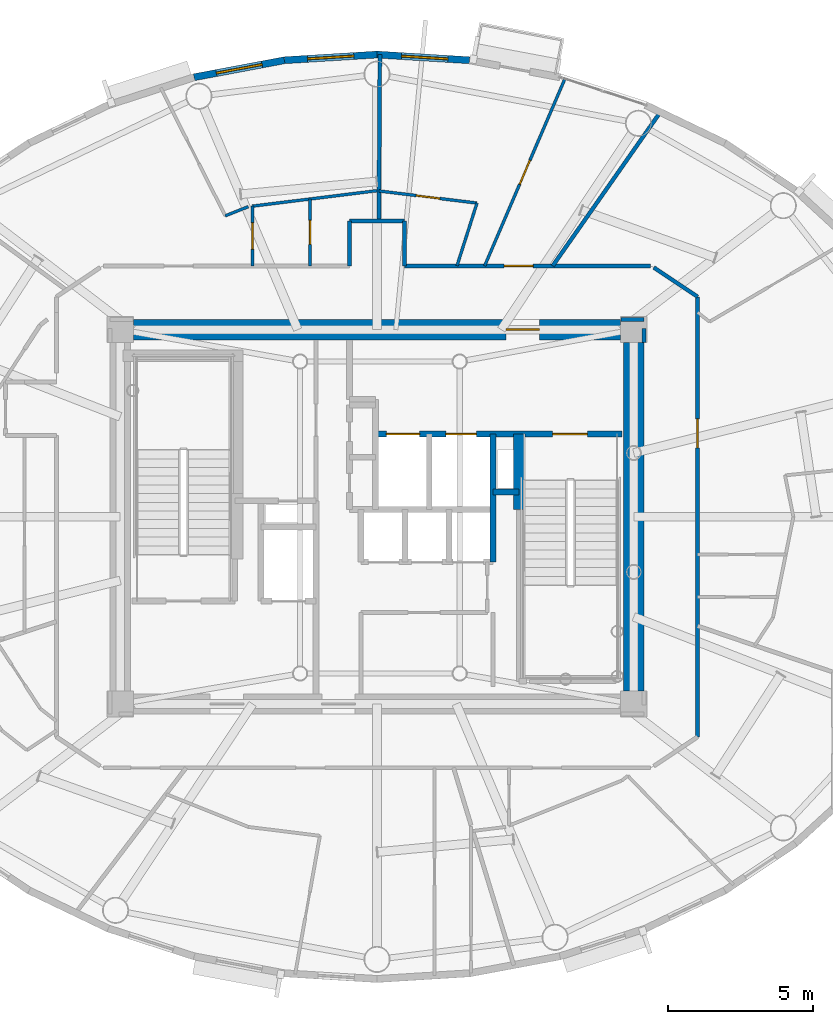
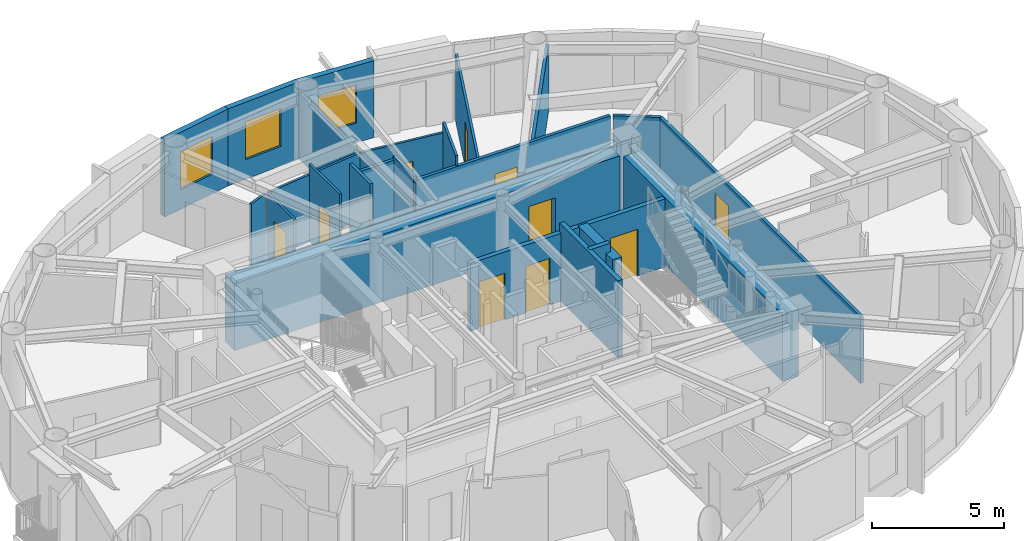
# One storey, part 9 of 17: 26 walls, 10 doors, 3 windows, 13 openings.
"""IFC4 building model written with IfcOpenShell, lengths in metres."""

from ifc_helpers import new_model, si_unit, direction, frame, frame_2d, origin, origin_2d, place, context, subcontext, project, spatial, rectangle, extrude, source, transform, mapped, material, layer, layer_set, type_object, element, fill, save


model = new_model("IFC4")

# Units and contexts
model_context = context("Model", 3, precision=1e-05, world=origin(), true_north=direction((0.0, 1.0)))
body_context = subcontext(model_context, "Body", "Model", "MODEL_VIEW")
ifc_project = project(units=[si_unit("LENGTHUNIT", "METRE"), si_unit("AREAUNIT", "SQUARE_METRE"), si_unit("VOLUMEUNIT", "CUBIC_METRE"), si_unit("PLANEANGLEUNIT", "RADIAN"), si_unit("MASSUNIT", "GRAM", prefix="KILO")], contexts=[model_context])

# Site, building, storey
site_placement = place(None, origin())
site = spatial("IfcSite", under=ifc_project, at=site_placement, CompositionType="ELEMENT")
building_placement = place(site_placement, origin())
building = spatial("IfcBuilding", under=site, at=building_placement, Name="Linh Dai School and Residence Tower", CompositionType="ELEMENT")
storey_placement = place(building_placement, frame((0.0, 0.0, 327.800048828125)))
storey = spatial("IfcBuildingStorey", under=building, at=storey_placement, Name="L81", CompositionType="ELEMENT", Elevation=327.800048828125)

# Wall, opening, window
ifc_material_1 = material(Name="Precast Concrete B45 (C35/45)", Category="concrete")
ifc_layer_1 = layer(ifc_material_1, 0.239990234375)
ifc_layer_set_1 = layer_set([ifc_layer_1], Name="Precast Concrete B45 (C35/45)")
wall_type_1 = type_object("IfcWallType", Name="EW-TC-240", PredefinedType="SOLIDWALL", material=ifc_layer_set_1)
wall_1_placement = place(storey_placement, frame((36.0, 42.929931640625, 0.0), z_axis=(0.0, 0.0, 1.0), x_axis=(0.998109204399, -0.061465568355, 0.0)))
wall_1 = element("IfcWall", 1, at=wall_1_placement, inside=storey, type_object=wall_type_1, Name="L81 Terracotta Exterior Wall 10", PredefinedType="SOLIDWALL", context=body_context, shape_type="SweptSolid", body=[
    extrude(rectangle(XDim=3.197509765625, YDim=0.239990234375, at=frame_2d((1.5986328125, 0.0))), origin(), (0.0, 0.0, 1.0), 3.550048828125),
])
opening_1_placement = place(wall_1_placement, frame((0.847900390625, 0.0, 0.89990234375)))
opening_1 = element("IfcOpeningElement", 2, at=opening_1_placement, cuts=wall_1, Name="Opening W2", PredefinedType="OPENING", context=body_context, shape_type="SweptSolid", body=[
    extrude(rectangle(XDim=1.60009765625, YDim=1.75, at=origin_2d()), frame((0.800048828125, 0.1298828125, 0.875), z_axis=(0.0, -1.0, 0.0), x_axis=(1.0, 0.0, 0.0)), (0.0, 0.0, 1.0), 0.260009765625),
])
ifc_material_2 = material(Name="Double Low-E Insulated Glazing", Category="glass")
window_type = type_object("IfcWindowType", Name="WN-RES-1600x1750", PartitioningType="DOUBLE_PANEL_VERTICAL", PredefinedType="WINDOW", material=ifc_material_2)
shared_shape_1 = source(origin(), body_context, "Body", "SweptSolid", [
    extrude(rectangle(XDim=1.60009765625, YDim=1.75, at=origin_2d()), frame((0.800048828125, 0.030029296875, 0.875), z_axis=(0.0, -1.0, 0.0), x_axis=(1.0, 0.0, 0.0)), (0.0, 0.0, 1.0), 0.06005859375),
])
window_1_placement = place(opening_1_placement, origin())
window_1 = element("IfcWindow", 3, at=window_1_placement, inside=storey, type_object=window_type, Name="L81 Exterior Window 10.1", OverallHeight=1.75, OverallWidth=1.60009765625, PartitioningType="DOUBLE_PANEL_VERTICAL", PredefinedType="WINDOW", context=body_context, shape_type="MappedRepresentation", body=[
    mapped(shared_shape_1, transform((0.0, 0.0, 0.0), x_axis=(1.0, 0.0, 0.0), y_axis=(0.0, 1.0, 0.0), z_axis=(0.0, 0.0, 1.0), scale=1.0)),
])
fill(opening_1, window_1)

wall_2_placement = place(storey_placement, frame((32.80859375, 42.7333984375, 0.0), z_axis=(0.0, 0.0, 1.0), x_axis=(0.998109204399, 0.061465568355, 0.0)))
wall_2 = element("IfcWall", 4, at=wall_2_placement, inside=storey, type_object=wall_type_1, Name="L81 Terracotta Exterior Wall 11", PredefinedType="SOLIDWALL", context=body_context, shape_type="SweptSolid", body=[
    extrude(rectangle(XDim=3.197509765625, YDim=0.239990234375, at=frame_2d((1.5986328125, 0.0))), origin(), (0.0, 0.0, 1.0), 3.550048828125),
])
opening_2_placement = place(wall_2_placement, frame((0.798828125, 0.0, 0.89990234375)))
opening_2 = element("IfcOpeningElement", 5, at=opening_2_placement, cuts=wall_2, Name="Opening W2", PredefinedType="OPENING", context=body_context, shape_type="SweptSolid", body=[
    extrude(rectangle(XDim=1.60009765625, YDim=1.75, at=origin_2d()), frame((0.800048828125, 0.1298828125, 0.875), z_axis=(0.0, -1.0, 0.0), x_axis=(1.0, 0.0, 0.0)), (0.0, 0.0, 1.0), 0.260009765625),
])
window_2_placement = place(opening_2_placement, origin())
window_2 = element("IfcWindow", 6, at=window_2_placement, inside=storey, type_object=window_type, Name="L81 Exterior Window 11.1", OverallHeight=1.75, OverallWidth=1.60009765625, PartitioningType="DOUBLE_PANEL_VERTICAL", PredefinedType="WINDOW", context=body_context, shape_type="MappedRepresentation", body=[
    mapped(shared_shape_1, transform((0.0, 0.0, 0.0), x_axis=(1.0, 0.0, 0.0), y_axis=(0.0, 1.0, 0.0), z_axis=(0.0, 0.0, 1.0), scale=1.0)),
])
fill(opening_2, window_2)

wall_3_placement = place(storey_placement, frame((29.696044921875, 42.14794921875, 0.0), z_axis=(0.0, 0.0, 1.0), x_axis=(0.98276643264, 0.184851667226, 0.0)))
wall_3 = element("IfcWall", 7, at=wall_3_placement, inside=storey, type_object=wall_type_1, Name="L81 Terracotta Exterior Wall 12", PredefinedType="SOLIDWALL", context=body_context, shape_type="SweptSolid", body=[
    extrude(rectangle(XDim=3.167236328125, YDim=0.239990234375, at=frame_2d((1.58349609375, 0.0))), origin(), (0.0, 0.0, 1.0), 3.550048828125),
])
opening_3_placement = place(wall_3_placement, frame((0.78369140625, 0.0, 0.89990234375)))
opening_3 = element("IfcOpeningElement", 8, at=opening_3_placement, cuts=wall_3, Name="Opening W2", PredefinedType="OPENING", context=body_context, shape_type="SweptSolid", body=[
    extrude(rectangle(XDim=1.60009765625, YDim=1.75, at=origin_2d()), frame((0.800048828125, 0.1298828125, 0.875), z_axis=(0.0, -1.0, 0.0), x_axis=(1.0, 0.0, 0.0)), (0.0, 0.0, 1.0), 0.260009765625),
])
window_3_placement = place(opening_3_placement, origin())
window_3 = element("IfcWindow", 9, at=window_3_placement, inside=storey, type_object=window_type, Name="L81 Exterior Window 12.1", OverallHeight=1.75, OverallWidth=1.60009765625, PartitioningType="DOUBLE_PANEL_VERTICAL", PredefinedType="WINDOW", context=body_context, shape_type="MappedRepresentation", body=[
    mapped(shared_shape_1, transform((0.0, 0.0, 0.0), x_axis=(1.0, 0.0, 0.0), y_axis=(0.0, 1.0, 0.0), z_axis=(0.0, 0.0, 1.0), scale=1.0)),
])
fill(opening_3, window_3)

# Walls
ifc_material_3 = material(Name="Autoclaved Aerated Concrete Blockwork", Category="masonry")
ifc_layer_2 = layer(ifc_material_3, 0.135009765625)
ifc_layer_set_2 = layer_set([ifc_layer_2], Name="Autoclaved Aerated Concrete Blockwork")
wall_type_2 = type_object("IfcWallType", Name="IW-CORR-135-EI90", PredefinedType="PARTITIONING", material=ifc_layer_set_2)
wall_4_placement = place(storey_placement, frame((35.050048828125, 35.64990234375, 0.0), z_axis=(0.0, 0.0, 1.0), x_axis=(0.0, 1.0, 0.0)))
element("IfcWall", 10, at=wall_4_placement, inside=storey, type_object=wall_type_2, Name="L81 Interior Partition Wall 045", PredefinedType="PARTITIONING", context=body_context, shape_type="SweptSolid", body=[
    extrude(rectangle(XDim=1.550048828125, YDim=0.135009765625, at=frame_2d((0.77490234375, 0.0))), origin(), (0.0, 0.0, 1.0), 3.550048828125),
])
wall_5_placement = place(storey_placement, frame((35.050048828125, 37.199951171875, 0.0), z_axis=(0.0, 0.0, 1.0), x_axis=(1.0, 0.0, 0.0)))
element("IfcWall", 11, at=wall_5_placement, inside=storey, type_object=wall_type_2, Name="L81 Interior Partition Wall 046", PredefinedType="PARTITIONING", context=body_context, shape_type="SweptSolid", body=[
    extrude(rectangle(XDim=1.89990234375, YDim=0.135009765625, at=frame_2d((0.949951171875, 0.0))), origin(), (0.0, 0.0, 1.0), 3.0849609375),
])
wall_6_placement = place(storey_placement, frame((36.063232421875, 37.199951171875, 0.0), z_axis=(0.0, 0.0, 1.0), x_axis=(0.006221912379, 0.999980643716, 0.0)))
element("IfcWall", 12, at=wall_6_placement, inside=storey, type_object=wall_type_2, Name="L81 Interior Partition Wall 053", PredefinedType="PARTITIONING", context=body_context, shape_type="SweptSolid", body=[
    extrude(rectangle(XDim=5.728759765625, YDim=0.135009765625, at=frame_2d((2.8642578125, 0.0))), origin(), (0.0, 0.0, 1.0), 3.034912109375),
])
wall_7_placement = place(storey_placement, frame((36.949951171875, 35.64990234375, 0.0), z_axis=(0.0, 0.0, 1.0), x_axis=(0.0, 1.0, 0.0)))
element("IfcWall", 13, at=wall_7_placement, inside=storey, type_object=wall_type_2, Name="L81 Interior Partition Wall 055", PredefinedType="PARTITIONING", context=body_context, shape_type="SweptSolid", body=[
    extrude(rectangle(XDim=1.550048828125, YDim=0.135009765625, at=frame_2d((0.77490234375, 0.0))), origin(), (0.0, 0.0, 1.0), 3.23486328125),
])

# Wall, opening, door
wall_8_placement = place(storey_placement, frame((36.949951171875, 35.64990234375, 0.0), z_axis=(0.0, 0.0, 1.0), x_axis=(1.0, 0.0, 0.0)))
wall_8 = element("IfcWall", 14, at=wall_8_placement, inside=storey, type_object=wall_type_2, Name="L81 Interior Partition Wall 056", PredefinedType="PARTITIONING", context=body_context, shape_type="SweptSolid", body=[
    extrude(rectangle(XDim=8.469970703125, YDim=0.135009765625, at=frame_2d((4.23486328125, 0.0))), origin(), (0.0, 0.0, 1.0), 3.0849609375),
])
opening_4_placement = place(wall_8_placement, frame((3.43408203125, 0.0, 0.0)))
opening_4 = element("IfcOpeningElement", 15, at=opening_4_placement, cuts=wall_8, Name="Opening D03", PredefinedType="OPENING", context=body_context, shape_type="SweptSolid", body=[
    extrude(rectangle(XDim=1.0, YDim=2.14990234375, at=origin_2d()), frame((0.5, 0.07763671875, 1.074951171875), z_axis=(0.0, -1.0, 0.0), x_axis=(1.0, 0.0, 0.0)), (0.0, 0.0, 1.0), 0.155029296875),
])
ifc_material_4 = material(Name="Fire-Rated Solid Timber Entrance Door", Category="wood")
door_type_1 = type_object("IfcDoorType", Name="DR-FLAT-1000x2150-FD60S", OperationType="NOTDEFINED", PredefinedType="DOOR", material=ifc_material_4)
shared_shape_2 = source(origin(), body_context, "Body", "SweptSolid", [
    extrude(rectangle(XDim=1.0, YDim=2.14990234375, at=origin_2d()), frame((0.5, 0.02490234375, 1.074951171875), z_axis=(0.0, -1.0, 0.0), x_axis=(1.0, 0.0, 0.0)), (0.0, 0.0, 1.0), 0.050048828125),
])
door_1_placement = place(opening_4_placement, origin())
door_1 = element("IfcDoor", 16, at=door_1_placement, inside=storey, type_object=door_type_1, Name="L81 U8101 Apartment Entrance Door", OperationType="SINGLE_SWING_RIGHT", OverallHeight=2.14990234375, OverallWidth=1.0, PredefinedType="DOOR", context=body_context, shape_type="MappedRepresentation", body=[
    mapped(shared_shape_2, transform((0.0, 0.0, 0.0), x_axis=(1.0, 0.0, 0.0), y_axis=(0.0, 1.0, 0.0), z_axis=(0.0, 0.0, 1.0), scale=1.0)),
])
fill(opening_4, door_1)

# Walls
wall_9_placement = place(storey_placement, frame((42.056884765625, 35.64990234375, 0.0), z_axis=(0.0, 0.0, 1.0), x_axis=(0.57355349769, 0.819168105634, 0.0)))
element("IfcWall", 17, at=wall_9_placement, inside=storey, type_object=wall_type_2, Name="L81 Interior Partition Wall 074", PredefinedType="PARTITIONING", context=body_context, shape_type="SweptSolid", body=[
    extrude(rectangle(XDim=6.470947265625, YDim=0.135009765625, at=frame_2d((3.2353515625, 0.0))), origin(), (0.0, 0.0, 1.0), 3.034912109375),
])
wall_10_placement = place(storey_placement, frame((45.541259765625, 35.591796875, 0.0), z_axis=(0.0, 0.0, 1.0), x_axis=(0.831180227396, -0.556003084151, 0.0)))
element("IfcWall", 18, at=wall_10_placement, inside=storey, type_object=wall_type_2, Name="L81 Interior Partition Wall 078", PredefinedType="PARTITIONING", context=body_context, shape_type="SweptSolid", body=[
    extrude(rectangle(XDim=1.815185546875, YDim=0.135009765625, at=frame_2d((0.90771484375, 0.0))), origin(), (0.0, 0.0, 1.0), 3.0849609375),
])

# Wall, opening, door
wall_11_placement = place(storey_placement, frame((47.050048828125, 19.41748046875, 0.0), z_axis=(0.0, 0.0, 1.0), x_axis=(0.0, 1.0, 0.0)))
wall_11 = element("IfcWall", 19, at=wall_11_placement, inside=storey, type_object=wall_type_2, Name="L81 Interior Partition Wall 079", PredefinedType="PARTITIONING", context=body_context, shape_type="SweptSolid", body=[
    extrude(rectangle(XDim=15.1650390625, YDim=0.135009765625, at=frame_2d((7.58251953125, 0.0))), origin(), (0.0, 0.0, 1.0), 3.0849609375),
])
opening_5_placement = place(wall_11_placement, frame((9.95703125, 0.0, 0.0)))
opening_5 = element("IfcOpeningElement", 20, at=opening_5_placement, cuts=wall_11, Name="Opening D03", PredefinedType="OPENING", context=body_context, shape_type="SweptSolid", body=[
    extrude(rectangle(XDim=1.0, YDim=2.14990234375, at=origin_2d()), frame((0.5, 0.07763671875, 1.074951171875), z_axis=(0.0, -1.0, 0.0), x_axis=(1.0, 0.0, 0.0)), (0.0, 0.0, 1.0), 0.155029296875),
])
door_2_placement = place(opening_5_placement, origin())
door_2 = element("IfcDoor", 21, at=door_2_placement, inside=storey, type_object=door_type_1, Name="L81 U8107 Apartment Entrance Door", OperationType="SINGLE_SWING_RIGHT", OverallHeight=2.14990234375, OverallWidth=1.0, PredefinedType="DOOR", context=body_context, shape_type="MappedRepresentation", body=[
    mapped(shared_shape_2, transform((0.0, 0.0, 0.0), x_axis=(1.0, 0.0, 0.0), y_axis=(0.0, 1.0, 0.0), z_axis=(0.0, 0.0, 1.0), scale=1.0)),
])
fill(opening_5, door_2)

# Walls
wall_12_placement = place(storey_placement, frame((45.199951171875, 33.800048828125, 0.0), z_axis=(0.0, 0.0, 1.0), x_axis=(-1.0, 0.0, 0.0)))
element("IfcWall", 22, at=wall_12_placement, inside=storey, type_object=wall_type_2, Name="L81 Interior Partition Wall 094", PredefinedType="PARTITIONING", context=body_context, shape_type="SweptSolid", body=[
    extrude(rectangle(XDim=0.7900390625, YDim=0.135009765625, at=frame_2d((0.39501953125, 0.0))), origin(), (0.0, 0.0, 1.0), 3.0849609375),
])
wall_13_placement = place(storey_placement, frame((45.199951171875, 33.010009765625, 0.0), z_axis=(0.0, 0.0, 1.0), x_axis=(0.0, 1.0, 0.0)))
element("IfcWall", 23, at=wall_13_placement, inside=storey, type_object=wall_type_2, Name="L81 Interior Partition Wall 101", PredefinedType="PARTITIONING", context=body_context, shape_type="SweptSolid", body=[
    extrude(rectangle(XDim=0.482421875, YDim=0.135009765625, at=frame_2d((0.2412109375, 0.0))), origin(), (0.0, 0.0, 1.0), 3.550048828125),
])

# Wall, openings, doors
ifc_material_5 = material(Name="Concrete B45 (C35/45)", Category="concrete")
ifc_layer_3 = layer(ifc_material_5, 0.199951171875)
ifc_layer_set_3 = layer_set([ifc_layer_3], Name="Concrete B45 (C35/45)")
wall_type_3 = type_object("IfcWallType", Name="IW-SHAFT-200-EI120", PredefinedType="PARTITIONING", material=ifc_layer_set_3)
wall_14_placement = place(storey_placement, frame((35.949951171875, 29.85009765625, 0.0), z_axis=(0.0, 0.0, 1.0), x_axis=(1.0, 0.0, 0.0)))
wall_14 = element("IfcWall", 24, at=wall_14_placement, inside=storey, type_object=wall_type_3, Name="L81 Interior Partition Wall 052", PredefinedType="PARTITIONING", context=body_context, shape_type="SweptSolid", body=[
    extrude(rectangle(XDim=8.489990234375, YDim=0.199951171875, at=frame_2d((4.2451171875, 0.0))), origin(), (0.0, 0.0, 1.0), 3.135009765625),
])
opening_6_placement = place(wall_14_placement, frame((6.10009765625, 0.0, 0.0)))
opening_6 = element("IfcOpeningElement", 25, at=opening_6_placement, cuts=wall_14, Name="Opening D01", PredefinedType="OPENING", context=body_context, shape_type="SweptSolid", body=[
    extrude(rectangle(XDim=1.199951171875, YDim=2.14990234375, at=origin_2d()), frame((0.60009765625, 0.10986328125, 1.074951171875), z_axis=(0.0, -1.0, 0.0), x_axis=(1.0, 0.0, 0.0)), (0.0, 0.0, 1.0), 0.219970703125),
])
opening_7_placement = place(wall_14_placement, frame((0.3701171875, 0.0, 0.0)))
opening_7 = element("IfcOpeningElement", 26, at=opening_7_placement, cuts=wall_14, Name="Opening LD-FF1", PredefinedType="OPENING", context=body_context, shape_type="SweptSolid", body=[
    extrude(rectangle(XDim=1.14990234375, YDim=2.14990234375, at=origin_2d()), frame((0.574951171875, 0.10986328125, 1.074951171875), z_axis=(0.0, -1.0, 0.0), x_axis=(1.0, 0.0, 0.0)), (0.0, 0.0, 1.0), 0.219970703125),
])
opening_8_placement = place(wall_14_placement, frame((2.425048828125, 0.0, 0.0)))
opening_8 = element("IfcOpeningElement", 27, at=opening_8_placement, cuts=wall_14, Name="Opening LD-SV1", PredefinedType="OPENING", context=body_context, shape_type="SweptSolid", body=[
    extrude(rectangle(XDim=1.050048828125, YDim=2.14990234375, at=origin_2d()), frame((0.52490234375, 0.10986328125, 1.074951171875), z_axis=(0.0, -1.0, 0.0), x_axis=(1.0, 0.0, 0.0)), (0.0, 0.0, 1.0), 0.219970703125),
])
ifc_material_6 = material(Name="Fire-Rated Steel Door Leaf", Category="steel")
door_type_2 = type_object("IfcDoorType", Name="DR-STAIR-1200x2150-FD90S", OperationType="NOTDEFINED", PredefinedType="DOOR", material=ifc_material_6)
shared_shape_3 = source(origin(), body_context, "Body", "SweptSolid", [
    extrude(rectangle(XDim=1.199951171875, YDim=2.14990234375, at=origin_2d()), frame((0.60009765625, 0.02490234375, 1.074951171875), z_axis=(0.0, -1.0, 0.0), x_axis=(1.0, 0.0, 0.0)), (0.0, 0.0, 1.0), 0.050048828125),
])
door_3_placement = place(opening_6_placement, origin())
door_3 = element("IfcDoor", 28, at=door_3_placement, inside=storey, type_object=door_type_2, Name="L81 Core Smokeproof Exit Stair ST2 Door", OperationType="SINGLE_SWING_LEFT", OverallHeight=2.14990234375, OverallWidth=1.199951171875, PredefinedType="DOOR", context=body_context, shape_type="MappedRepresentation", body=[
    mapped(shared_shape_3, transform((0.0, 0.0, 0.0), x_axis=(1.0, 0.0, 0.0), y_axis=(0.0, 1.0, 0.0), z_axis=(0.0, 0.0, 1.0), scale=1.0)),
])
fill(opening_6, door_3)
ifc_material_7 = material(Name="Fire-Rated Stainless Steel Firefighting Lift Door", Category="steel")
door_type_3 = type_object("IfcDoorType", Name="DR-LD-FF-1150x2150-FD120", OperationType="DOUBLE_DOOR_SLIDING", PredefinedType="USERDEFINED", material=ifc_material_7)
shared_shape_4 = source(origin(), body_context, "Body", "SweptSolid", [
    extrude(rectangle(XDim=1.14990234375, YDim=2.14990234375, at=origin_2d()), frame((0.574951171875, 0.02490234375, 1.074951171875), z_axis=(0.0, -1.0, 0.0), x_axis=(1.0, 0.0, 0.0)), (0.0, 0.0, 1.0), 0.050048828125),
])
door_4_placement = place(opening_7_placement, origin())
door_4 = element("IfcDoor", 29, at=door_4_placement, inside=storey, type_object=door_type_3, Name="L81 Lift FF1 Sliding Landing Door", ObjectType="LANDING DOOR", OperationType="DOUBLE_DOOR_SLIDING", OverallHeight=2.14990234375, OverallWidth=1.14990234375, PredefinedType="USERDEFINED", context=body_context, shape_type="MappedRepresentation", body=[
    mapped(shared_shape_4, transform((0.0, 0.0, 0.0), x_axis=(1.0, 0.0, 0.0), y_axis=(0.0, 1.0, 0.0), z_axis=(0.0, 0.0, 1.0), scale=1.0)),
])
fill(opening_7, door_4)
ifc_material_8 = material(Name="Brushed Stainless Steel Lift Landing Door", Category="steel")
door_type_4 = type_object("IfcDoorType", Name="DR-LD-PASS-1050x2150", OperationType="DOUBLE_DOOR_SLIDING", PredefinedType="USERDEFINED", material=ifc_material_8)
shared_shape_5 = source(origin(), body_context, "Body", "SweptSolid", [
    extrude(rectangle(XDim=1.050048828125, YDim=2.14990234375, at=origin_2d()), frame((0.52490234375, 0.02490234375, 1.074951171875), z_axis=(0.0, -1.0, 0.0), x_axis=(1.0, 0.0, 0.0)), (0.0, 0.0, 1.0), 0.050048828125),
])
door_5_placement = place(opening_8_placement, origin())
door_5 = element("IfcDoor", 30, at=door_5_placement, inside=storey, type_object=door_type_4, Name="L81 Lift SV1 Sliding Landing Door", ObjectType="LANDING DOOR", OperationType="DOUBLE_DOOR_SLIDING", OverallHeight=2.14990234375, OverallWidth=1.050048828125, PredefinedType="USERDEFINED", context=body_context, shape_type="MappedRepresentation", body=[
    mapped(shared_shape_5, transform((0.0, 0.0, 0.0), x_axis=(1.0, 0.0, 0.0), y_axis=(0.0, 1.0, 0.0), z_axis=(0.0, 0.0, 1.0), scale=1.0)),
])
fill(opening_8, door_5)

# Walls
wall_15_placement = place(storey_placement, frame((40.0, 25.449951171875, 0.0), z_axis=(0.0, 0.0, 1.0), x_axis=(0.0, 1.0, 0.0)))
element("IfcWall", 31, at=wall_15_placement, inside=storey, type_object=wall_type_3, Name="L81 Interior Partition Wall 068", PredefinedType="PARTITIONING", context=body_context, shape_type="SweptSolid", body=[
    extrude(rectangle(XDim=4.400146484375, YDim=0.199951171875, at=frame_2d((2.2001953125, 0.0))), origin(), (0.0, 0.0, 1.0), 3.550048828125),
])
wall_16_placement = place(storey_placement, frame((40.0, 27.85009765625, 0.0), z_axis=(0.0, 0.0, 1.0), x_axis=(1.0, 0.0, 0.0)))
element("IfcWall", 32, at=wall_16_placement, inside=storey, type_object=wall_type_3, Name="L81 Interior Partition Wall 069", PredefinedType="PARTITIONING", context=body_context, shape_type="SweptSolid", body=[
    extrude(rectangle(XDim=0.89990234375, YDim=0.199951171875, at=frame_2d((0.449951171875, 0.0))), origin(), (0.0, 0.0, 1.0), 3.550048828125),
])
ifc_material_9 = material(Name="Gypsum Plasterboard Acoustic Stud Partition", Category="masonry")
ifc_layer_4 = layer(ifc_material_9, 0.10009765625)
ifc_layer_set_4 = layer_set([ifc_layer_4], Name="Gypsum Plasterboard Acoustic Stud Partition")
wall_type_4 = type_object("IfcWallType", Name="IW-UNIT-100", PredefinedType="PARTITIONING", material=ifc_layer_set_4)
wall_17_placement = place(storey_placement, frame((30.770751953125, 37.371337890625, 0.0), z_axis=(0.0, 0.0, 1.0), x_axis=(0.928810758689, 0.370554415091, 0.0)))
element("IfcWall", 33, at=wall_17_placement, inside=storey, type_object=wall_type_4, Name="L81 Interior Partition Wall 026", PredefinedType="PARTITIONING", context=body_context, shape_type="SweptSolid", body=[
    extrude(rectangle(XDim=0.85595703125, YDim=0.10009765625, at=frame_2d((0.427978515625, 0.0))), origin(), (0.0, 0.0, 1.0), 3.0849609375),
])

# Wall, opening, door
wall_18_placement = place(storey_placement, frame((31.704345703125, 35.64990234375, 0.0), z_axis=(0.0, 0.0, 1.0), x_axis=(0.0, 1.0, 0.0)))
wall_18 = element("IfcWall", 34, at=wall_18_placement, inside=storey, type_object=wall_type_4, Name="L81 Interior Partition Wall 030", PredefinedType="PARTITIONING", context=body_context, shape_type="SweptSolid", body=[
    extrude(rectangle(XDim=2.0556640625, YDim=0.10009765625, at=frame_2d((1.02783203125, 0.0))), origin(), (0.0, 0.0, 1.0), 3.0849609375),
])
opening_9_placement = place(wall_18_placement, frame((0.577880859375, 0.0, 0.0)))
opening_9 = element("IfcOpeningElement", 35, at=opening_9_placement, cuts=wall_18, Name="Opening D05", PredefinedType="OPENING", context=body_context, shape_type="SweptSolid", body=[
    extrude(rectangle(XDim=0.89990234375, YDim=2.10009765625, at=origin_2d()), frame((0.449951171875, 0.06005859375, 1.050048828125), z_axis=(0.0, -1.0, 0.0), x_axis=(1.0, 0.0, 0.0)), (0.0, 0.0, 1.0), 0.1201171875),
])
ifc_material_10 = material(Name="Engineered Timber Internal Door", Category="wood")
door_type_5 = type_object("IfcDoorType", Name="DR-INT-900x2100", OperationType="NOTDEFINED", PredefinedType="DOOR", material=ifc_material_10)
shared_shape_6 = source(origin(), body_context, "Body", "SweptSolid", [
    extrude(rectangle(XDim=0.89990234375, YDim=2.10009765625, at=origin_2d()), frame((0.449951171875, 0.02490234375, 1.050048828125), z_axis=(0.0, -1.0, 0.0), x_axis=(1.0, 0.0, 0.0)), (0.0, 0.0, 1.0), 0.050048828125),
])
door_6_placement = place(opening_9_placement, origin())
door_6 = element("IfcDoor", 36, at=door_6_placement, inside=storey, type_object=door_type_5, Name="L81 Apartment U8102 Kitchen Door", OperationType="SINGLE_SWING_LEFT", OverallHeight=2.10009765625, OverallWidth=0.89990234375, PredefinedType="DOOR", context=body_context, shape_type="MappedRepresentation", body=[
    mapped(shared_shape_6, transform((0.0, 0.0, 0.0), x_axis=(1.0, 0.0, 0.0), y_axis=(0.0, 1.0, 0.0), z_axis=(0.0, 0.0, 1.0), scale=1.0)),
])
fill(opening_9, door_6)

# Wall
wall_19_placement = place(storey_placement, frame((31.704345703125, 37.70556640625, 0.0), z_axis=(0.0, 0.0, 1.0), x_axis=(0.992391131504, 0.123125310604, 0.0)))
element("IfcWall", 37, at=wall_19_placement, inside=storey, type_object=wall_type_4, Name="L81 Interior Partition Wall 031", PredefinedType="PARTITIONING", context=body_context, shape_type="SweptSolid", body=[
    extrude(rectangle(XDim=4.32861328125, YDim=0.10009765625, at=frame_2d((2.164306640625, 0.0))), origin(), (0.0, 0.0, 1.0), 3.0849609375),
])

# Wall, opening, door
wall_20_placement = place(storey_placement, frame((33.697265625, 35.64990234375, 0.0), z_axis=(0.0, 0.0, 1.0), x_axis=(0.0, 1.0, 0.0)))
wall_20 = element("IfcWall", 38, at=wall_20_placement, inside=storey, type_object=wall_type_4, Name="L81 Interior Partition Wall 036", PredefinedType="PARTITIONING", context=body_context, shape_type="SweptSolid", body=[
    extrude(rectangle(XDim=2.302978515625, YDim=0.10009765625, at=frame_2d((1.1513671875, 0.0))), origin(), (0.0, 0.0, 1.0), 3.550048828125),
])
opening_10_placement = place(wall_20_placement, frame((0.741455078125, 0.0, 0.0)))
opening_10 = element("IfcOpeningElement", 39, at=opening_10_placement, cuts=wall_20, Name="Opening D06", PredefinedType="OPENING", context=body_context, shape_type="SweptSolid", body=[
    extrude(rectangle(XDim=0.820068359375, YDim=2.10009765625, at=origin_2d()), frame((0.41015625, 0.06005859375, 1.050048828125), z_axis=(0.0, -1.0, 0.0), x_axis=(1.0, 0.0, 0.0)), (0.0, 0.0, 1.0), 0.1201171875),
])
ifc_material_11 = material(Name="Moisture-Resistant Timber Bathroom Door", Category="wood")
door_type_6 = type_object("IfcDoorType", Name="DR-WET-820x2100", OperationType="NOTDEFINED", PredefinedType="DOOR", material=ifc_material_11)
shared_shape_7 = source(origin(), body_context, "Body", "SweptSolid", [
    extrude(rectangle(XDim=0.820068359375, YDim=2.10009765625, at=origin_2d()), frame((0.41015625, 0.02490234375, 1.050048828125), z_axis=(0.0, -1.0, 0.0), x_axis=(1.0, 0.0, 0.0)), (0.0, 0.0, 1.0), 0.050048828125),
])
door_7_placement = place(opening_10_placement, origin())
door_7 = element("IfcDoor", 40, at=door_7_placement, inside=storey, type_object=door_type_6, Name="L81 Apartment U8102 Bathroom 1 Door", OperationType="SINGLE_SWING_RIGHT", OverallHeight=2.10009765625, OverallWidth=0.820068359375, PredefinedType="DOOR", context=body_context, shape_type="MappedRepresentation", body=[
    mapped(shared_shape_7, transform((0.0, 0.0, 0.0), x_axis=(1.0, 0.0, 0.0), y_axis=(0.0, 1.0, 0.0), z_axis=(0.0, 0.0, 1.0), scale=1.0)),
])
fill(opening_10, door_7)

wall_21_placement = place(storey_placement, frame((36.06982421875, 38.229736328125, 0.0), z_axis=(0.0, 0.0, 1.0), x_axis=(0.992395574795, -0.123089492354, 0.0)))
wall_21 = element("IfcWall", 41, at=wall_21_placement, inside=storey, type_object=wall_type_4, Name="L81 Interior Partition Wall 054", PredefinedType="PARTITIONING", context=body_context, shape_type="SweptSolid", body=[
    extrude(rectangle(XDim=3.401611328125, YDim=0.10009765625, at=frame_2d((1.70068359375, 0.0))), origin(), (0.0, 0.0, 1.0), 3.0849609375),
])
opening_11_placement = place(wall_21_placement, frame((1.291015625, 0.0, 0.0)))
opening_11 = element("IfcOpeningElement", 42, at=opening_11_placement, cuts=wall_21, Name="Opening D06", PredefinedType="OPENING", context=body_context, shape_type="SweptSolid", body=[
    extrude(rectangle(XDim=0.820068359375, YDim=2.10009765625, at=origin_2d()), frame((0.41015625, 0.06005859375, 1.050048828125), z_axis=(0.0, -1.0, 0.0), x_axis=(1.0, 0.0, 0.0)), (0.0, 0.0, 1.0), 0.1201171875),
])
door_8_placement = place(opening_11_placement, origin())
door_8 = element("IfcDoor", 43, at=door_8_placement, inside=storey, type_object=door_type_6, Name="L81 Apartment U8101 Bathroom Door", OperationType="SINGLE_SWING_RIGHT", OverallHeight=2.10009765625, OverallWidth=0.820068359375, PredefinedType="DOOR", context=body_context, shape_type="MappedRepresentation", body=[
    mapped(shared_shape_7, transform((0.0, 0.0, 0.0), x_axis=(1.0, 0.0, 0.0), y_axis=(0.0, 1.0, 0.0), z_axis=(0.0, 0.0, 1.0), scale=1.0)),
])
fill(opening_11, door_8)

# Wall
wall_22_placement = place(storey_placement, frame((38.7568359375, 35.64990234375, 0.0), z_axis=(0.0, 0.0, 1.0), x_axis=(0.303639013206, 0.952787148139, 0.0)))
element("IfcWall", 44, at=wall_22_placement, inside=storey, type_object=wall_type_4, Name="L81 Interior Partition Wall 062", PredefinedType="PARTITIONING", context=body_context, shape_type="SweptSolid", body=[
    extrude(rectangle(XDim=2.268310546875, YDim=0.10009765625, at=frame_2d((1.13427734375, 0.0))), origin(), (0.0, 0.0, 1.0), 3.550048828125),
])

# Wall, opening, door
wall_23_placement = place(storey_placement, frame((39.711181640625, 35.64990234375, 0.0), z_axis=(0.0, 0.0, 1.0), x_axis=(0.39425107449, 0.919002769454, 0.0)))
wall_23 = element("IfcWall", 45, at=wall_23_placement, inside=storey, type_object=wall_type_4, Name="L81 Interior Partition Wall 066", PredefinedType="PARTITIONING", context=body_context, shape_type="SweptSolid", body=[
    extrude(rectangle(XDim=7.015380859375, YDim=0.10009765625, at=frame_2d((3.5078125, 0.0))), origin(), (0.0, 0.0, 1.0), 3.034912109375),
])
opening_12_placement = place(wall_23_placement, frame((3.0576171875, 0.0, 0.0)))
opening_12 = element("IfcOpeningElement", 46, at=opening_12_placement, cuts=wall_23, Name="Opening D05", PredefinedType="OPENING", context=body_context, shape_type="SweptSolid", body=[
    extrude(rectangle(XDim=0.89990234375, YDim=2.10009765625, at=origin_2d()), frame((0.449951171875, 0.06005859375, 1.050048828125), z_axis=(0.0, -1.0, 0.0), x_axis=(1.0, 0.0, 0.0)), (0.0, 0.0, 1.0), 0.1201171875),
])
door_9_placement = place(opening_12_placement, origin())
door_9 = element("IfcDoor", 47, at=door_9_placement, inside=storey, type_object=door_type_5, Name="L81 Apartment U8101 Skyhome Studio Door", OperationType="SINGLE_SWING_LEFT", OverallHeight=2.10009765625, OverallWidth=0.89990234375, PredefinedType="DOOR", context=body_context, shape_type="MappedRepresentation", body=[
    mapped(shared_shape_6, transform((0.0, 0.0, 0.0), x_axis=(1.0, 0.0, 0.0), y_axis=(0.0, 1.0, 0.0), z_axis=(0.0, 0.0, 1.0), scale=1.0)),
])
fill(opening_12, door_9)

# Wall
ifc_layer_5 = layer(ifc_material_5, 0.39990234375)
ifc_layer_set_5 = layer_set([ifc_layer_5], Name="Concrete B45 (C35/45)")
wall_type_5 = type_object("IfcWallType", Name="WL-CORE400", PredefinedType="SHEAR", material=ifc_layer_set_5)
wall_24_placement = place(storey_placement, frame((40.89990234375, 27.25, 0.0), z_axis=(0.0, 0.0, 1.0), x_axis=(0.0, 1.0, 0.0)))
element("IfcWall", 48, at=wall_24_placement, inside=storey, type_object=wall_type_5, Name="L81 Internal Core Shear Wall IE", PredefinedType="SHEAR", context=body_context, shape_type="SweptSolid", body=[
    extrude(rectangle(XDim=2.60009765625, YDim=0.39990234375, at=frame_2d((1.300048828125, 0.0))), origin(), (0.0, 0.0, 1.0), 3.14990234375),
])

# Wall, opening, door
ifc_layer_6 = layer(ifc_material_5, 0.699951171875)
ifc_layer_set_6 = layer_set([ifc_layer_6], Name="Concrete B45 (C35/45)")
wall_type_6 = type_object("IfcWallType", Name="WL-CORE700", PredefinedType="SHEAR", material=ifc_layer_set_6)
wall_25_placement = place(storey_placement, frame((27.60009765625, 33.449951171875, 0.0), z_axis=(0.0, 0.0, 1.0), x_axis=(1.0, 0.0, 0.0)))
wall_25 = element("IfcWall", 49, at=wall_25_placement, inside=storey, type_object=wall_type_6, Name="L81 Central Core Shear Wall N", PredefinedType="SHEAR", context=body_context, shape_type="SweptSolid", body=[
    extrude(rectangle(XDim=16.7998046875, YDim=0.699951171875, at=frame_2d((8.39990234375, 0.0))), origin(), (0.0, 0.0, 1.0), 3.099853515625),
])
opening_13_placement = place(wall_25_placement, frame((12.85009765625, 0.0, 0.0)))
opening_13 = element("IfcOpeningElement", 50, at=opening_13_placement, cuts=wall_25, Name="Opening D02", PredefinedType="OPENING", context=body_context, shape_type="SweptSolid", body=[
    extrude(rectangle(XDim=1.14990234375, YDim=2.14990234375, at=origin_2d()), frame((0.574951171875, 0.35986328125, 1.074951171875), z_axis=(0.0, -1.0, 0.0), x_axis=(1.0, 0.0, 0.0)), (0.0, 0.0, 1.0), 0.719970703125),
])
ifc_material_12 = material(Name="Fire-Rated Glazed Steel Lobby Door", Category="steel")
door_type_7 = type_object("IfcDoorType", Name="DR-LOBBY-1150x2150-FD90S", OperationType="NOTDEFINED", PredefinedType="DOOR", material=ifc_material_12)
shared_shape_8 = source(origin(), body_context, "Body", "SweptSolid", [
    extrude(rectangle(XDim=1.14990234375, YDim=2.14990234375, at=origin_2d()), frame((0.574951171875, 0.02490234375, 1.074951171875), z_axis=(0.0, -1.0, 0.0), x_axis=(1.0, 0.0, 0.0)), (0.0, 0.0, 1.0), 0.050048828125),
])
door_10_placement = place(opening_13_placement, origin())
door_10 = element("IfcDoor", 51, at=door_10_placement, inside=storey, type_object=door_type_7, Name="L81 Firefighting Lobby Door", OperationType="SINGLE_SWING_RIGHT", OverallHeight=2.14990234375, OverallWidth=1.14990234375, PredefinedType="DOOR", context=body_context, shape_type="MappedRepresentation", body=[
    mapped(shared_shape_8, transform((0.0, 0.0, 0.0), x_axis=(1.0, 0.0, 0.0), y_axis=(0.0, 1.0, 0.0), z_axis=(0.0, 0.0, 1.0), scale=1.0)),
])
fill(opening_13, door_10)

# Wall
wall_26_placement = place(storey_placement, frame((44.85009765625, 33.0, 0.0), z_axis=(0.0, 0.0, 1.0), x_axis=(0.0, -1.0, 0.0)))
element("IfcWall", 52, at=wall_26_placement, inside=storey, type_object=wall_type_6, Name="L81 Central Core Shear Wall E", PredefinedType="SHEAR", context=body_context, shape_type="SweptSolid", body=[
    extrude(rectangle(XDim=12.0, YDim=0.699951171875, at=frame_2d((6.0, 0.0))), origin(), (0.0, 0.0, 1.0), 3.099853515625),
])

save(model, "model.ifc")
